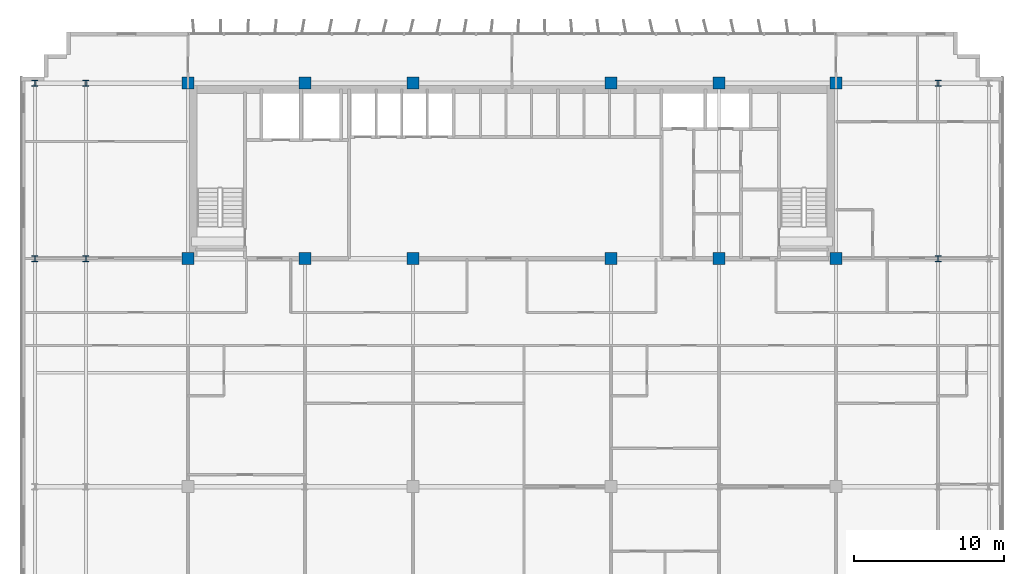
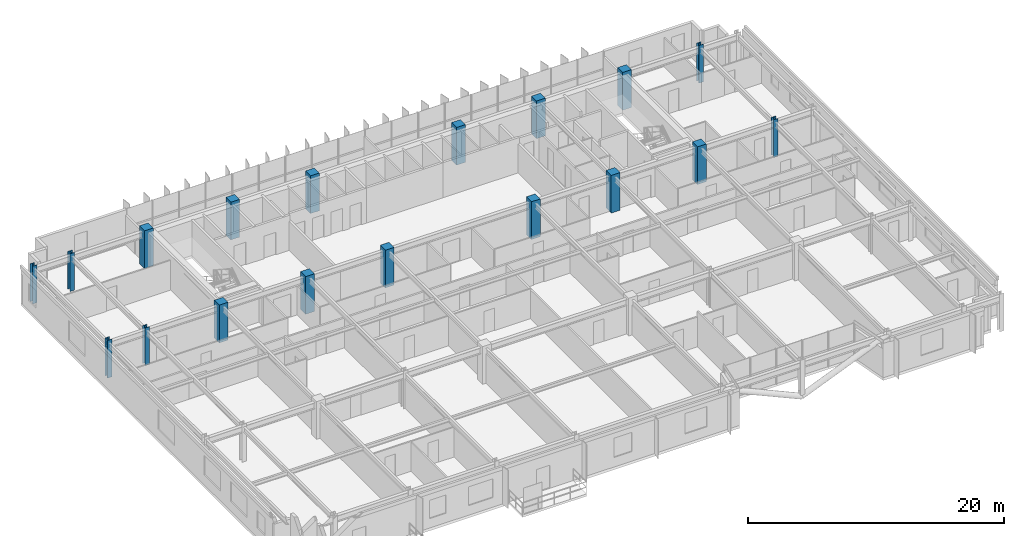
# One storey, part 2 of 26: 18 columns.
"""IFC4 building model written with IfcOpenShell, lengths in metres."""

from ifc_helpers import new_model, si_unit, direction, frame, origin, origin_2d, place, context, subcontext, project, spatial, rectangle, i_section, extrude, source, transform, mapped, material, material_profile, profile_set, type_object, element, save


model = new_model("IFC4")

# Units and contexts
model_context = context("Model", 3, precision=1e-05, world=origin(), true_north=direction((0.0, 1.0)))
body_context = subcontext(model_context, "Body", "Model", "MODEL_VIEW")
ifc_project = project(units=[si_unit("LENGTHUNIT", "METRE"), si_unit("AREAUNIT", "SQUARE_METRE"), si_unit("VOLUMEUNIT", "CUBIC_METRE"), si_unit("PLANEANGLEUNIT", "RADIAN"), si_unit("MASSUNIT", "GRAM", prefix="KILO")], contexts=[model_context])

# Site, building, storey
site_placement = place(None, origin())
site = spatial("IfcSite", under=ifc_project, at=site_placement, CompositionType="ELEMENT")
building_placement = place(site_placement, origin())
building = spatial("IfcBuilding", under=site, at=building_placement, Name="Trelvane Seafront Commons", CompositionType="ELEMENT")
storey_placement = place(building_placement, frame((0.0, 0.0, 124.89990234375)))
storey = spatial("IfcBuildingStorey", under=building, at=storey_placement, Name="L32", CompositionType="ELEMENT", Elevation=124.89990234375)

# Columns
ifc_material_1 = material(Name="Steel SM355 (S355)", Category="steel")
ifc_material_profile_1 = material_profile(ifc_material_1, i_section(OverallWidth=0.39990234375, OverallDepth=0.39990234375, WebThickness=0.02197265625, FlangeThickness=0.034912109375, at=origin_2d()), Name="HD-400x400x22x35")
ifc_profile_set_1 = profile_set([ifc_material_profile_1], Name="Steel SM355 (S355)")
column_type_1 = type_object("IfcColumnType", Name="STR-COL-HD400", PredefinedType="COLUMN", material=ifc_profile_set_1)
shared_shape_1 = source(origin(), body_context, "Body", "SweptSolid", [
    extrude(i_section(OverallWidth=0.39990234375, OverallDepth=0.39990234375, WebThickness=0.02197265625, FlangeThickness=0.034912109375, at=origin_2d()), origin(), (0.0, 0.0, 1.0), 3.60009765625),
])
for number, where, z_axis, x_axis, name in (
    (1, (5.39990234375, 33.39990234375, 0.0), (0.0, 0.0, 1.0), (1.0, 0.0, 0.0), "L32 Column TC-CS5.4"),
    (2, (5.39990234375, 45.10009765625, 0.0), (0.0, 0.0, 1.0), (1.0, 0.0, 0.0), "L32 Column TC-CN5.4"),
    (3, (8.800048828125, 33.39990234375, 0.0), (0.0, 0.0, 1.0), (1.0, 0.0, 0.0), "L32 Column TC-CS8.8"),
    (4, (8.800048828125, 45.10009765625, 0.0), (0.0, 0.0, 1.0), (1.0, 0.0, 0.0), "L32 Column TC-CN8.8"),
    (5, (65.60009765625, 33.39990234375, 0.0), (0.0, 0.0, 1.0), (1.0, 0.0, 0.0), "L32 Column TC-CS65.6"),
    (6, (65.60009765625, 45.10009765625, 0.0), (0.0, 0.0, 1.0), (1.0, 0.0, 0.0), "L32 Column TC-CN65.6"),
):
    element("IfcColumn", number, at=place(storey_placement, frame(where, z_axis=z_axis, x_axis=x_axis)), inside=storey, type_object=column_type_1, Name=name, PredefinedType="COLUMN", context=body_context, shape_type="MappedRepresentation", body=[
        mapped(shared_shape_1, transform((0.0, 0.0, 0.0), x_axis=(1.0, 0.0, 0.0), y_axis=(0.0, 1.0, 0.0), z_axis=(0.0, 0.0, 1.0), scale=1.0)),
    ])
ifc_material_2 = material(Name="Concrete C60/75", Category="concrete")
ifc_material_profile_2 = material_profile(ifc_material_2, rectangle(XDim=0.800048828125, YDim=0.800048828125, at=origin_2d()), Name="RC-800x800")
ifc_profile_set_2 = profile_set([ifc_material_profile_2], Name="Concrete C60/75")
column_type_2 = type_object("IfcColumnType", Name="STR-COL-RC800", PredefinedType="COLUMN", material=ifc_profile_set_2)
shared_shape_2 = source(origin(), body_context, "Body", "SweptSolid", [
    extrude(rectangle(XDim=0.800048828125, YDim=0.800048828125, at=origin_2d()), origin(), (0.0, 0.0, 1.0), 3.60009765625),
])
for number, where, z_axis, x_axis, name in (
    (7, (15.60009765625, 33.39990234375, 0.0), (0.0, 0.0, 1.0), (1.0, 0.0, 0.0), "L32 Column TC-CS15.6"),
    (8, (15.60009765625, 45.10009765625, 0.0), (0.0, 0.0, 1.0), (1.0, 0.0, 0.0), "L32 Column TC-CN15.6"),
    (9, (23.39990234375, 33.39990234375, 0.0), (0.0, 0.0, 1.0), (1.0, 0.0, 0.0), "L32 Column TC-CS23.4"),
    (10, (23.39990234375, 45.10009765625, 0.0), (0.0, 0.0, 1.0), (1.0, 0.0, 0.0), "L32 Column TC-CN23.4"),
    (11, (30.60009765625, 33.39990234375, 0.0), (0.0, 0.0, 1.0), (1.0, 0.0, 0.0), "L32 Column TC-CS30.6"),
    (12, (30.60009765625, 45.10009765625, 0.0), (0.0, 0.0, 1.0), (1.0, 0.0, 0.0), "L32 Column TC-CN30.6"),
    (13, (43.800048828125, 33.39990234375, 0.0), (0.0, 0.0, 1.0), (1.0, 0.0, 0.0), "L32 Column TC-CS43.8"),
    (14, (43.800048828125, 45.10009765625, 0.0), (0.0, 0.0, 1.0), (1.0, 0.0, 0.0), "L32 Column TC-CN43.8"),
    (15, (51.0, 33.39990234375, 0.0), (0.0, 0.0, 1.0), (1.0, 0.0, 0.0), "L32 Column TC-CS51.0"),
    (16, (51.0, 45.10009765625, 0.0), (0.0, 0.0, 1.0), (1.0, 0.0, 0.0), "L32 Column TC-CN51.0"),
    (17, (58.800048828125, 33.39990234375, 0.0), (0.0, 0.0, 1.0), (1.0, 0.0, 0.0), "L32 Column TC-CS58.8"),
    (18, (58.800048828125, 45.10009765625, 0.0), (0.0, 0.0, 1.0), (1.0, 0.0, 0.0), "L32 Column TC-CN58.8"),
):
    element("IfcColumn", number, at=place(storey_placement, frame(where, z_axis=z_axis, x_axis=x_axis)), inside=storey, type_object=column_type_2, Name=name, PredefinedType="COLUMN", context=body_context, shape_type="MappedRepresentation", body=[
        mapped(shared_shape_2, transform((0.0, 0.0, 0.0), x_axis=(1.0, 0.0, 0.0), y_axis=(0.0, 1.0, 0.0), z_axis=(0.0, 0.0, 1.0), scale=1.0)),
    ])

save(model, "model.ifc")
